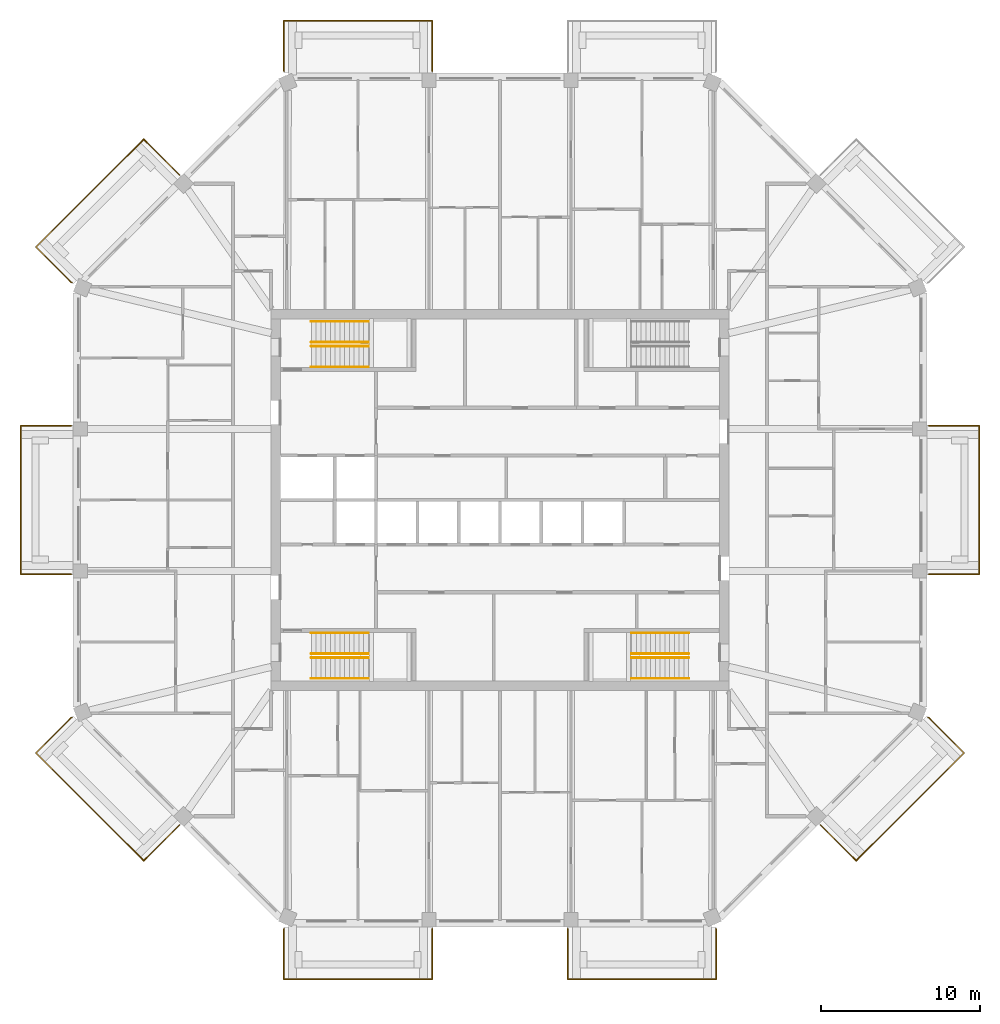
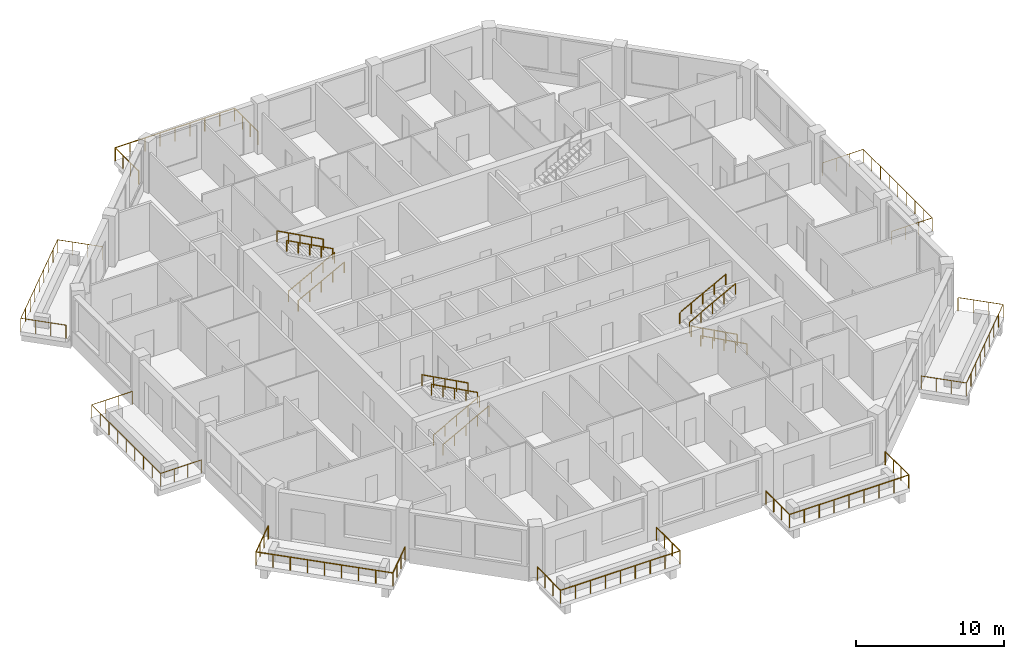
# One storey, part 12 of 13: 20 railings.
"""IFC4 building model written with IfcOpenShell, lengths in metres."""

from ifc_helpers import new_model, si_unit, direction, frame, origin, origin_2d, place, context, subcontext, project, spatial, circle, extrude, material, constituent, constituent_set, type_object, element, save


model = new_model("IFC4")

# Units and contexts
model_context = context("Model", 3, precision=1e-05, world=origin(), true_north=direction((0.0, 1.0)))
body_context = subcontext(model_context, "Body", "Model", "MODEL_VIEW")
ifc_project = project(units=[si_unit("LENGTHUNIT", "METRE"), si_unit("AREAUNIT", "SQUARE_METRE"), si_unit("VOLUMEUNIT", "CUBIC_METRE"), si_unit("PLANEANGLEUNIT", "RADIAN"), si_unit("MASSUNIT", "GRAM", prefix="KILO")], contexts=[model_context])

# Site, building, storey
site_placement = place(None, origin())
site = spatial("IfcSite", under=ifc_project, at=site_placement, CompositionType="ELEMENT")
building_placement = place(site_placement, origin())
building = spatial("IfcBuilding", under=site, at=building_placement, Name="Msitu Wima Residences", CompositionType="ELEMENT")
storey_placement = place(building_placement, frame((0.0, 0.0, 285.300048828125)))
storey = spatial("IfcBuildingStorey", under=building, at=storey_placement, Name="L66", CompositionType="ELEMENT", Elevation=285.300048828125)

# Railings
ifc_material_1 = material(Name="Steel S355", Category="steel")
ifc_constituent_1 = constituent(ifc_material_1, Name="Steel S355")
ifc_material_2 = material(Name="Weathering patina")
ifc_constituent_2 = constituent(ifc_material_2, Name="Weathering patina")
ifc_constituent_set_1 = constituent_set(constituents=[ifc_constituent_1, ifc_constituent_2], Name="Steel S355")
railing_type_1 = type_object("IfcRailingType", Name="Balcony guard GR1100", PredefinedType="GUARDRAIL", material=ifc_constituent_set_1)
railing_1_placement = place(storey_placement, frame((26.97998046875, 4.668701171875, 0.0)))
element("IfcRailing", 1, at=railing_1_placement, inside=storey, type_object=railing_type_1, Name="Balcony guard E1 L66", PredefinedType="GUARDRAIL", context=body_context, shape_type="SweptSolid", body=[
    extrude(circle(Radius=0.02392578125, at=origin_2d()), frame((0.0, 0.0, 1.076171875), z_axis=(1.0, 0.0, 0.0), x_axis=(0.0, 1.0, 0.0)), (0.0, 0.0, 1.0), 3.169921875),
    extrude(circle(Radius=0.02392578125, at=origin_2d()), frame((3.169921875, 0.0, 1.076171875), z_axis=(0.0, -1.0, 0.0), x_axis=(1.0, 0.0, 0.0)), (0.0, 0.0, 1.0), 9.33740234375),
    extrude(circle(Radius=0.02392578125, at=origin_2d()), frame((3.169921875, -9.33740234375, 1.076171875), z_axis=(-1.0, 0.0, 0.0), x_axis=(0.0, -1.0, 0.0)), (0.0, 0.0, 1.0), 3.169921875),
    extrude(circle(Radius=0.02099609375, at=origin_2d()), origin(), (0.0, 0.0, 1.0), 1.052001953125),
    extrude(circle(Radius=0.02099609375, at=origin_2d()), frame((1.056640625, 0.0, 0.0)), (0.0, 0.0, 1.0), 1.052001953125),
    extrude(circle(Radius=0.02099609375, at=origin_2d()), frame((2.11328125, 0.0, 0.0)), (0.0, 0.0, 1.0), 1.052001953125),
    extrude(circle(Radius=0.02099609375, at=origin_2d()), frame((3.169921875, 0.0, 0.0)), (0.0, 0.0, 1.0), 1.052001953125),
    extrude(circle(Radius=0.02099609375, at=origin_2d()), frame((3.169921875, -1.167236328125, 0.0)), (0.0, 0.0, 1.0), 1.052001953125),
    extrude(circle(Radius=0.02099609375, at=origin_2d()), frame((3.169921875, -2.33447265625, 0.0)), (0.0, 0.0, 1.0), 1.052001953125),
    extrude(circle(Radius=0.02099609375, at=origin_2d()), frame((3.169921875, -3.50146484375, 0.0)), (0.0, 0.0, 1.0), 1.052001953125),
    extrude(circle(Radius=0.02099609375, at=origin_2d()), frame((3.169921875, -4.668701171875, 0.0)), (0.0, 0.0, 1.0), 1.052001953125),
    extrude(circle(Radius=0.02099609375, at=origin_2d()), frame((3.169921875, -5.8359375, 0.0)), (0.0, 0.0, 1.0), 1.052001953125),
    extrude(circle(Radius=0.02099609375, at=origin_2d()), frame((3.169921875, -7.0029296875, 0.0)), (0.0, 0.0, 1.0), 1.052001953125),
    extrude(circle(Radius=0.02099609375, at=origin_2d()), frame((3.169921875, -8.170166015625, 0.0)), (0.0, 0.0, 1.0), 1.052001953125),
    extrude(circle(Radius=0.02099609375, at=origin_2d()), frame((3.169921875, -9.33740234375, 0.0)), (0.0, 0.0, 1.0), 1.052001953125),
    extrude(circle(Radius=0.02099609375, at=origin_2d()), frame((2.11328125, -9.33740234375, 0.0)), (0.0, 0.0, 1.0), 1.052001953125),
    extrude(circle(Radius=0.02099609375, at=origin_2d()), frame((1.056640625, -9.33740234375, 0.0)), (0.0, 0.0, 1.0), 1.052001953125),
    extrude(circle(Radius=0.02099609375, at=origin_2d()), frame((0.0, -9.33740234375, 0.0)), (0.0, 0.0, 1.0), 1.052001953125),
])
railing_2_placement = place(storey_placement, frame((-13.592041015625, 26.97998046875, 0.0)))
element("IfcRailing", 2, at=railing_2_placement, inside=storey, type_object=railing_type_1, Name="Balcony guard N2 L66", PredefinedType="GUARDRAIL", context=body_context, shape_type="SweptSolid", body=[
    extrude(circle(Radius=0.02392578125, at=origin_2d()), frame((0.0, 0.0, 1.076171875), z_axis=(-0.384136806859, 0.923276184907, 0.0), x_axis=(-0.923276184907, -0.384136806859, 0.0)), (0.0, 0.0, 1.0), 0.0361328125),
    extrude(circle(Radius=0.02392578125, at=origin_2d()), frame((-0.013916015625, 0.033447265625, 1.076171875), z_axis=(0.0, 1.0, 0.0), x_axis=(-1.0, 0.0, 0.0)), (0.0, 0.0, 1.0), 3.136474609375),
    extrude(circle(Radius=0.02392578125, at=origin_2d()), frame((-0.013916015625, 3.169921875, 1.076171875), z_axis=(1.0, 0.0, 0.0), x_axis=(0.0, 1.0, 0.0)), (0.0, 0.0, 1.0), 9.33740234375),
    extrude(circle(Radius=0.02392578125, at=origin_2d()), frame((9.323486328125, 3.169921875, 1.076171875), z_axis=(0.0, -1.0, 0.0), x_axis=(1.0, 0.0, 0.0)), (0.0, 0.0, 1.0), 3.169921875),
    extrude(circle(Radius=0.02099609375, at=origin_2d()), origin(), (0.0, 0.0, 1.0), 1.052001953125),
    extrude(circle(Radius=0.02099609375, at=origin_2d()), frame((-0.013916015625, 0.033447265625, 0.0)), (0.0, 0.0, 1.0), 1.052001953125),
    extrude(circle(Radius=0.02099609375, at=origin_2d()), frame((-0.013916015625, 1.078857421875, 0.0)), (0.0, 0.0, 1.0), 1.052001953125),
    extrude(circle(Radius=0.02099609375, at=origin_2d()), frame((-0.013916015625, 2.12451171875, 0.0)), (0.0, 0.0, 1.0), 1.052001953125),
    extrude(circle(Radius=0.02099609375, at=origin_2d()), frame((-0.013916015625, 3.169921875, 0.0)), (0.0, 0.0, 1.0), 1.052001953125),
    extrude(circle(Radius=0.02099609375, at=origin_2d()), frame((1.1533203125, 3.169921875, 0.0)), (0.0, 0.0, 1.0), 1.052001953125),
    extrude(circle(Radius=0.02099609375, at=origin_2d()), frame((2.3203125, 3.169921875, 0.0)), (0.0, 0.0, 1.0), 1.052001953125),
    extrude(circle(Radius=0.02099609375, at=origin_2d()), frame((3.487548828125, 3.169921875, 0.0)), (0.0, 0.0, 1.0), 1.052001953125),
    extrude(circle(Radius=0.02099609375, at=origin_2d()), frame((4.65478515625, 3.169921875, 0.0)), (0.0, 0.0, 1.0), 1.052001953125),
    extrude(circle(Radius=0.02099609375, at=origin_2d()), frame((5.822021484375, 3.169921875, 0.0)), (0.0, 0.0, 1.0), 1.052001953125),
    extrude(circle(Radius=0.02099609375, at=origin_2d()), frame((6.9892578125, 3.169921875, 0.0)), (0.0, 0.0, 1.0), 1.052001953125),
    extrude(circle(Radius=0.02099609375, at=origin_2d()), frame((8.15625, 3.169921875, 0.0)), (0.0, 0.0, 1.0), 1.052001953125),
    extrude(circle(Radius=0.02099609375, at=origin_2d()), frame((9.323486328125, 3.169921875, 0.0)), (0.0, 0.0, 1.0), 1.052001953125),
    extrude(circle(Radius=0.02099609375, at=origin_2d()), frame((9.323486328125, 2.11328125, 0.0)), (0.0, 0.0, 1.0), 1.052001953125),
    extrude(circle(Radius=0.02099609375, at=origin_2d()), frame((9.323486328125, 1.056640625, 0.0)), (0.0, 0.0, 1.0), 1.052001953125),
    extrude(circle(Radius=0.02099609375, at=origin_2d()), frame((9.323486328125, 0.0, 0.0)), (0.0, 0.0, 1.0), 1.052001953125),
])
railing_3_placement = place(storey_placement, frame((-26.941650390625, 13.684326171875, 0.0)))
element("IfcRailing", 3, at=railing_3_placement, inside=storey, type_object=railing_type_1, Name="Balcony guard NW1 L66", PredefinedType="GUARDRAIL", context=body_context, shape_type="SweptSolid", body=[
    extrude(circle(Radius=0.02392578125, at=origin_2d()), frame((0.0, 0.0, 1.076171875), z_axis=(-0.92426142649, 0.38176015442, 0.0), x_axis=(-0.38176015442, -0.92426142649, 0.0)), (0.0, 0.0, 1.0), 0.036376953125),
    extrude(circle(Radius=0.02392578125, at=origin_2d()), frame((-0.03369140625, 0.013916015625, 1.076171875), z_axis=(-0.707106781187, 0.707106781187, 0.0), x_axis=(-0.707106781187, -0.707106781187, 0.0)), (0.0, 0.0, 1.0), 3.136474609375),
    extrude(circle(Radius=0.02392578125, at=origin_2d()), frame((-2.25146484375, 2.231689453125, 1.076171875), z_axis=(0.707106781187, 0.707106781187, 0.0), x_axis=(-0.707106781187, 0.707106781187, 0.0)), (0.0, 0.0, 1.0), 9.58837890625),
    extrude(circle(Radius=0.02392578125, at=origin_2d()), frame((4.528564453125, 9.01171875, 1.076171875), z_axis=(0.707106781187, -0.707106781187, 0.0), x_axis=(0.707106781187, 0.707106781187, 0.0)), (0.0, 0.0, 1.0), 3.169921875),
    extrude(circle(Radius=0.02099609375, at=origin_2d()), origin(), (0.0, 0.0, 1.0), 1.052001953125),
    extrude(circle(Radius=0.02099609375, at=origin_2d()), frame((-0.03369140625, 0.013916015625, 0.0)), (0.0, 0.0, 1.0), 1.052001953125),
    extrude(circle(Radius=0.02099609375, at=origin_2d()), frame((-0.77294921875, 0.753173828125, 0.0)), (0.0, 0.0, 1.0), 1.052001953125),
    extrude(circle(Radius=0.02099609375, at=origin_2d()), frame((-1.51220703125, 1.492431640625, 0.0)), (0.0, 0.0, 1.0), 1.052001953125),
    extrude(circle(Radius=0.02099609375, at=origin_2d()), frame((-2.25146484375, 2.231689453125, 0.0)), (0.0, 0.0, 1.0), 1.052001953125),
    extrude(circle(Radius=0.02099609375, at=origin_2d()), frame((-1.404052734375, 3.0791015625, 0.0)), (0.0, 0.0, 1.0), 1.052001953125),
    extrude(circle(Radius=0.02099609375, at=origin_2d()), frame((-0.556396484375, 3.9267578125, 0.0)), (0.0, 0.0, 1.0), 1.052001953125),
    extrude(circle(Radius=0.02099609375, at=origin_2d()), frame((0.291015625, 4.774169921875, 0.0)), (0.0, 0.0, 1.0), 1.052001953125),
    extrude(circle(Radius=0.02099609375, at=origin_2d()), frame((1.138671875, 5.62158203125, 0.0)), (0.0, 0.0, 1.0), 1.052001953125),
    extrude(circle(Radius=0.02099609375, at=origin_2d()), frame((1.986083984375, 6.46923828125, 0.0)), (0.0, 0.0, 1.0), 1.052001953125),
    extrude(circle(Radius=0.02099609375, at=origin_2d()), frame((2.83349609375, 7.316650390625, 0.0)), (0.0, 0.0, 1.0), 1.052001953125),
    extrude(circle(Radius=0.02099609375, at=origin_2d()), frame((3.68115234375, 8.164306640625, 0.0)), (0.0, 0.0, 1.0), 1.052001953125),
    extrude(circle(Radius=0.02099609375, at=origin_2d()), frame((4.528564453125, 9.01171875, 0.0)), (0.0, 0.0, 1.0), 1.052001953125),
    extrude(circle(Radius=0.02099609375, at=origin_2d()), frame((5.275634765625, 8.2646484375, 0.0)), (0.0, 0.0, 1.0), 1.052001953125),
    extrude(circle(Radius=0.02099609375, at=origin_2d()), frame((6.02294921875, 7.517333984375, 0.0)), (0.0, 0.0, 1.0), 1.052001953125),
    extrude(circle(Radius=0.02099609375, at=origin_2d()), frame((6.77001953125, 6.770263671875, 0.0)), (0.0, 0.0, 1.0), 1.052001953125),
])
railing_4_placement = place(storey_placement, frame((-26.97998046875, -4.668701171875, 0.0)))
element("IfcRailing", 4, at=railing_4_placement, inside=storey, type_object=railing_type_1, Name="Balcony guard W1 L66", PredefinedType="GUARDRAIL", context=body_context, shape_type="SweptSolid", body=[
    extrude(circle(Radius=0.02392578125, at=origin_2d()), frame((0.0, 0.0, 1.076171875), z_axis=(-1.0, 0.0, 0.0), x_axis=(0.0, -1.0, 0.0)), (0.0, 0.0, 1.0), 3.169921875),
    extrude(circle(Radius=0.02392578125, at=origin_2d()), frame((-3.169921875, 0.0, 1.076171875), z_axis=(0.0, 1.0, 0.0), x_axis=(-1.0, 0.0, 0.0)), (0.0, 0.0, 1.0), 9.33740234375),
    extrude(circle(Radius=0.02392578125, at=origin_2d()), frame((-3.169921875, 9.33740234375, 1.076171875), z_axis=(1.0, 0.0, 0.0), x_axis=(0.0, 1.0, 0.0)), (0.0, 0.0, 1.0), 3.169921875),
    extrude(circle(Radius=0.02099609375, at=origin_2d()), origin(), (0.0, 0.0, 1.0), 1.052001953125),
    extrude(circle(Radius=0.02099609375, at=origin_2d()), frame((-1.056640625, 0.0, 0.0)), (0.0, 0.0, 1.0), 1.052001953125),
    extrude(circle(Radius=0.02099609375, at=origin_2d()), frame((-2.11328125, 0.0, 0.0)), (0.0, 0.0, 1.0), 1.052001953125),
    extrude(circle(Radius=0.02099609375, at=origin_2d()), frame((-3.169921875, 0.0, 0.0)), (0.0, 0.0, 1.0), 1.052001953125),
    extrude(circle(Radius=0.02099609375, at=origin_2d()), frame((-3.169921875, 1.167236328125, 0.0)), (0.0, 0.0, 1.0), 1.052001953125),
    extrude(circle(Radius=0.02099609375, at=origin_2d()), frame((-3.169921875, 2.33447265625, 0.0)), (0.0, 0.0, 1.0), 1.052001953125),
    extrude(circle(Radius=0.02099609375, at=origin_2d()), frame((-3.169921875, 3.50146484375, 0.0)), (0.0, 0.0, 1.0), 1.052001953125),
    extrude(circle(Radius=0.02099609375, at=origin_2d()), frame((-3.169921875, 4.668701171875, 0.0)), (0.0, 0.0, 1.0), 1.052001953125),
    extrude(circle(Radius=0.02099609375, at=origin_2d()), frame((-3.169921875, 5.8359375, 0.0)), (0.0, 0.0, 1.0), 1.052001953125),
    extrude(circle(Radius=0.02099609375, at=origin_2d()), frame((-3.169921875, 7.0029296875, 0.0)), (0.0, 0.0, 1.0), 1.052001953125),
    extrude(circle(Radius=0.02099609375, at=origin_2d()), frame((-3.169921875, 8.170166015625, 0.0)), (0.0, 0.0, 1.0), 1.052001953125),
    extrude(circle(Radius=0.02099609375, at=origin_2d()), frame((-3.169921875, 9.33740234375, 0.0)), (0.0, 0.0, 1.0), 1.052001953125),
    extrude(circle(Radius=0.02099609375, at=origin_2d()), frame((-2.11328125, 9.33740234375, 0.0)), (0.0, 0.0, 1.0), 1.052001953125),
    extrude(circle(Radius=0.02099609375, at=origin_2d()), frame((-1.056640625, 9.33740234375, 0.0)), (0.0, 0.0, 1.0), 1.052001953125),
    extrude(circle(Radius=0.02099609375, at=origin_2d()), frame((0.0, 9.33740234375, 0.0)), (0.0, 0.0, 1.0), 1.052001953125),
])
railing_5_placement = place(storey_placement, frame((-20.171630859375, -20.45458984375, 0.0)))
element("IfcRailing", 5, at=railing_5_placement, inside=storey, type_object=railing_type_1, Name="Balcony guard SW0 L66", PredefinedType="GUARDRAIL", context=body_context, shape_type="SweptSolid", body=[
    extrude(circle(Radius=0.02392578125, at=origin_2d()), frame((0.0, 0.0, 1.076171875), z_axis=(-0.707106781187, -0.707106781187, 0.0), x_axis=(0.707106781187, -0.707106781187, 0.0)), (0.0, 0.0, 1.0), 3.169921875),
    extrude(circle(Radius=0.02392578125, at=origin_2d()), frame((-2.241455078125, -2.241455078125, 1.076171875), z_axis=(-0.707106781187, 0.707106781187, 0.0), x_axis=(-0.707106781187, -0.707106781187, 0.0)), (0.0, 0.0, 1.0), 9.58837890625),
    extrude(circle(Radius=0.02392578125, at=origin_2d()), frame((-9.021484375, 4.53857421875, 1.076171875), z_axis=(0.707106781187, 0.707106781187, 0.0), x_axis=(-0.707106781187, 0.707106781187, 0.0)), (0.0, 0.0, 1.0), 3.136474609375),
    extrude(circle(Radius=0.02392578125, at=origin_2d()), frame((-6.8037109375, 6.75634765625, 1.076171875), z_axis=(0.92426142649, 0.38176015442, 0.0), x_axis=(-0.38176015442, 0.92426142649, 0.0)), (0.0, 0.0, 1.0), 0.036376953125),
    extrude(circle(Radius=0.02099609375, at=origin_2d()), origin(), (0.0, 0.0, 1.0), 1.052001953125),
    extrude(circle(Radius=0.02099609375, at=origin_2d()), frame((-0.7470703125, -0.7470703125, 0.0)), (0.0, 0.0, 1.0), 1.052001953125),
    extrude(circle(Radius=0.02099609375, at=origin_2d()), frame((-1.494384765625, -1.494384765625, 0.0)), (0.0, 0.0, 1.0), 1.052001953125),
    extrude(circle(Radius=0.02099609375, at=origin_2d()), frame((-2.241455078125, -2.241455078125, 0.0)), (0.0, 0.0, 1.0), 1.052001953125),
    extrude(circle(Radius=0.02099609375, at=origin_2d()), frame((-3.0888671875, -1.39404296875, 0.0)), (0.0, 0.0, 1.0), 1.052001953125),
    extrude(circle(Radius=0.02099609375, at=origin_2d()), frame((-3.9365234375, -0.54638671875, 0.0)), (0.0, 0.0, 1.0), 1.052001953125),
    extrude(circle(Radius=0.02099609375, at=origin_2d()), frame((-4.783935546875, 0.301025390625, 0.0)), (0.0, 0.0, 1.0), 1.052001953125),
    extrude(circle(Radius=0.02099609375, at=origin_2d()), frame((-5.63134765625, 1.1484375, 0.0)), (0.0, 0.0, 1.0), 1.052001953125),
    extrude(circle(Radius=0.02099609375, at=origin_2d()), frame((-6.47900390625, 1.99609375, 0.0)), (0.0, 0.0, 1.0), 1.052001953125),
    extrude(circle(Radius=0.02099609375, at=origin_2d()), frame((-7.326416015625, 2.843505859375, 0.0)), (0.0, 0.0, 1.0), 1.052001953125),
    extrude(circle(Radius=0.02099609375, at=origin_2d()), frame((-8.174072265625, 3.691162109375, 0.0)), (0.0, 0.0, 1.0), 1.052001953125),
    extrude(circle(Radius=0.02099609375, at=origin_2d()), frame((-9.021484375, 4.53857421875, 0.0)), (0.0, 0.0, 1.0), 1.052001953125),
    extrude(circle(Radius=0.02099609375, at=origin_2d()), frame((-8.2822265625, 5.27783203125, 0.0)), (0.0, 0.0, 1.0), 1.052001953125),
    extrude(circle(Radius=0.02099609375, at=origin_2d()), frame((-7.54296875, 6.01708984375, 0.0)), (0.0, 0.0, 1.0), 1.052001953125),
    extrude(circle(Radius=0.02099609375, at=origin_2d()), frame((-6.8037109375, 6.75634765625, 0.0)), (0.0, 0.0, 1.0), 1.052001953125),
    extrude(circle(Radius=0.02099609375, at=origin_2d()), frame((-6.77001953125, 6.770263671875, 0.0)), (0.0, 0.0, 1.0), 1.052001953125),
])
railing_6_placement = place(storey_placement, frame((-4.2685546875, -26.97998046875, 0.0)))
element("IfcRailing", 6, at=railing_6_placement, inside=storey, type_object=railing_type_1, Name="Balcony guard S0 L66", PredefinedType="GUARDRAIL", context=body_context, shape_type="SweptSolid", body=[
    extrude(circle(Radius=0.02392578125, at=origin_2d()), frame((0.0, 0.0, 1.076171875), z_axis=(0.0, -1.0, 0.0), x_axis=(1.0, 0.0, 0.0)), (0.0, 0.0, 1.0), 3.169921875),
    extrude(circle(Radius=0.02392578125, at=origin_2d()), frame((0.0, -3.169921875, 1.076171875), z_axis=(-1.0, 0.0, 0.0), x_axis=(0.0, -1.0, 0.0)), (0.0, 0.0, 1.0), 9.33740234375),
    extrude(circle(Radius=0.02392578125, at=origin_2d()), frame((-9.33740234375, -3.169921875, 1.076171875), z_axis=(0.0, 1.0, 0.0), x_axis=(-1.0, 0.0, 0.0)), (0.0, 0.0, 1.0), 3.136474609375),
    extrude(circle(Radius=0.02392578125, at=origin_2d()), frame((-9.33740234375, -0.033447265625, 1.076171875), z_axis=(0.384136806859, 0.923276184907, 0.0), x_axis=(-0.923276184907, 0.384136806859, 0.0)), (0.0, 0.0, 1.0), 0.0361328125),
    extrude(circle(Radius=0.02099609375, at=origin_2d()), origin(), (0.0, 0.0, 1.0), 1.052001953125),
    extrude(circle(Radius=0.02099609375, at=origin_2d()), frame((0.0, -1.056640625, 0.0)), (0.0, 0.0, 1.0), 1.052001953125),
    extrude(circle(Radius=0.02099609375, at=origin_2d()), frame((0.0, -2.11328125, 0.0)), (0.0, 0.0, 1.0), 1.052001953125),
    extrude(circle(Radius=0.02099609375, at=origin_2d()), frame((0.0, -3.169921875, 0.0)), (0.0, 0.0, 1.0), 1.052001953125),
    extrude(circle(Radius=0.02099609375, at=origin_2d()), frame((-1.167236328125, -3.169921875, 0.0)), (0.0, 0.0, 1.0), 1.052001953125),
    extrude(circle(Radius=0.02099609375, at=origin_2d()), frame((-2.33447265625, -3.169921875, 0.0)), (0.0, 0.0, 1.0), 1.052001953125),
    extrude(circle(Radius=0.02099609375, at=origin_2d()), frame((-3.50146484375, -3.169921875, 0.0)), (0.0, 0.0, 1.0), 1.052001953125),
    extrude(circle(Radius=0.02099609375, at=origin_2d()), frame((-4.668701171875, -3.169921875, 0.0)), (0.0, 0.0, 1.0), 1.052001953125),
    extrude(circle(Radius=0.02099609375, at=origin_2d()), frame((-5.8359375, -3.169921875, 0.0)), (0.0, 0.0, 1.0), 1.052001953125),
    extrude(circle(Radius=0.02099609375, at=origin_2d()), frame((-7.0029296875, -3.169921875, 0.0)), (0.0, 0.0, 1.0), 1.052001953125),
    extrude(circle(Radius=0.02099609375, at=origin_2d()), frame((-8.170166015625, -3.169921875, 0.0)), (0.0, 0.0, 1.0), 1.052001953125),
    extrude(circle(Radius=0.02099609375, at=origin_2d()), frame((-9.33740234375, -3.169921875, 0.0)), (0.0, 0.0, 1.0), 1.052001953125),
    extrude(circle(Radius=0.02099609375, at=origin_2d()), frame((-9.33740234375, -2.12451171875, 0.0)), (0.0, 0.0, 1.0), 1.052001953125),
    extrude(circle(Radius=0.02099609375, at=origin_2d()), frame((-9.33740234375, -1.078857421875, 0.0)), (0.0, 0.0, 1.0), 1.052001953125),
    extrude(circle(Radius=0.02099609375, at=origin_2d()), frame((-9.33740234375, -0.033447265625, 0.0)), (0.0, 0.0, 1.0), 1.052001953125),
    extrude(circle(Radius=0.02099609375, at=origin_2d()), frame((-9.323486328125, 0.0, 0.0)), (0.0, 0.0, 1.0), 1.052001953125),
])
railing_7_placement = place(storey_placement, frame((13.592041015625, -26.97998046875, 0.0)))
element("IfcRailing", 7, at=railing_7_placement, inside=storey, type_object=railing_type_1, Name="Balcony guard S2 L66", PredefinedType="GUARDRAIL", context=body_context, shape_type="SweptSolid", body=[
    extrude(circle(Radius=0.02392578125, at=origin_2d()), frame((0.0, 0.0, 1.076171875), z_axis=(0.384136806859, -0.923276184907, 0.0), x_axis=(0.923276184907, 0.384136806859, 0.0)), (0.0, 0.0, 1.0), 0.0361328125),
    extrude(circle(Radius=0.02392578125, at=origin_2d()), frame((0.013916015625, -0.033447265625, 1.076171875), z_axis=(0.0, -1.0, 0.0), x_axis=(1.0, 0.0, 0.0)), (0.0, 0.0, 1.0), 3.136474609375),
    extrude(circle(Radius=0.02392578125, at=origin_2d()), frame((0.013916015625, -3.169921875, 1.076171875), z_axis=(-1.0, 0.0, 0.0), x_axis=(0.0, -1.0, 0.0)), (0.0, 0.0, 1.0), 9.33740234375),
    extrude(circle(Radius=0.02392578125, at=origin_2d()), frame((-9.323486328125, -3.169921875, 1.076171875), z_axis=(0.0, 1.0, 0.0), x_axis=(-1.0, 0.0, 0.0)), (0.0, 0.0, 1.0), 3.169921875),
    extrude(circle(Radius=0.02099609375, at=origin_2d()), origin(), (0.0, 0.0, 1.0), 1.052001953125),
    extrude(circle(Radius=0.02099609375, at=origin_2d()), frame((0.013916015625, -0.033447265625, 0.0)), (0.0, 0.0, 1.0), 1.052001953125),
    extrude(circle(Radius=0.02099609375, at=origin_2d()), frame((0.013916015625, -1.078857421875, 0.0)), (0.0, 0.0, 1.0), 1.052001953125),
    extrude(circle(Radius=0.02099609375, at=origin_2d()), frame((0.013916015625, -2.12451171875, 0.0)), (0.0, 0.0, 1.0), 1.052001953125),
    extrude(circle(Radius=0.02099609375, at=origin_2d()), frame((0.013916015625, -3.169921875, 0.0)), (0.0, 0.0, 1.0), 1.052001953125),
    extrude(circle(Radius=0.02099609375, at=origin_2d()), frame((-1.1533203125, -3.169921875, 0.0)), (0.0, 0.0, 1.0), 1.052001953125),
    extrude(circle(Radius=0.02099609375, at=origin_2d()), frame((-2.3203125, -3.169921875, 0.0)), (0.0, 0.0, 1.0), 1.052001953125),
    extrude(circle(Radius=0.02099609375, at=origin_2d()), frame((-3.487548828125, -3.169921875, 0.0)), (0.0, 0.0, 1.0), 1.052001953125),
    extrude(circle(Radius=0.02099609375, at=origin_2d()), frame((-4.65478515625, -3.169921875, 0.0)), (0.0, 0.0, 1.0), 1.052001953125),
    extrude(circle(Radius=0.02099609375, at=origin_2d()), frame((-5.822021484375, -3.169921875, 0.0)), (0.0, 0.0, 1.0), 1.052001953125),
    extrude(circle(Radius=0.02099609375, at=origin_2d()), frame((-6.9892578125, -3.169921875, 0.0)), (0.0, 0.0, 1.0), 1.052001953125),
    extrude(circle(Radius=0.02099609375, at=origin_2d()), frame((-8.15625, -3.169921875, 0.0)), (0.0, 0.0, 1.0), 1.052001953125),
    extrude(circle(Radius=0.02099609375, at=origin_2d()), frame((-9.323486328125, -3.169921875, 0.0)), (0.0, 0.0, 1.0), 1.052001953125),
    extrude(circle(Radius=0.02099609375, at=origin_2d()), frame((-9.323486328125, -2.11328125, 0.0)), (0.0, 0.0, 1.0), 1.052001953125),
    extrude(circle(Radius=0.02099609375, at=origin_2d()), frame((-9.323486328125, -1.056640625, 0.0)), (0.0, 0.0, 1.0), 1.052001953125),
    extrude(circle(Radius=0.02099609375, at=origin_2d()), frame((-9.323486328125, 0.0, 0.0)), (0.0, 0.0, 1.0), 1.052001953125),
])
railing_8_placement = place(storey_placement, frame((26.941650390625, -13.684326171875, 0.0)))
element("IfcRailing", 8, at=railing_8_placement, inside=storey, type_object=railing_type_1, Name="Balcony guard SE1 L66", PredefinedType="GUARDRAIL", context=body_context, shape_type="SweptSolid", body=[
    extrude(circle(Radius=0.02392578125, at=origin_2d()), frame((0.0, 0.0, 1.076171875), z_axis=(0.92426142649, -0.38176015442, 0.0), x_axis=(0.38176015442, 0.92426142649, 0.0)), (0.0, 0.0, 1.0), 0.036376953125),
    extrude(circle(Radius=0.02392578125, at=origin_2d()), frame((0.03369140625, -0.013916015625, 1.076171875), z_axis=(0.707106781187, -0.707106781187, 0.0), x_axis=(0.707106781187, 0.707106781187, 0.0)), (0.0, 0.0, 1.0), 3.136474609375),
    extrude(circle(Radius=0.02392578125, at=origin_2d()), frame((2.25146484375, -2.231689453125, 1.076171875), z_axis=(-0.707106781187, -0.707106781187, 0.0), x_axis=(0.707106781187, -0.707106781187, 0.0)), (0.0, 0.0, 1.0), 9.58837890625),
    extrude(circle(Radius=0.02392578125, at=origin_2d()), frame((-4.528564453125, -9.01171875, 1.076171875), z_axis=(-0.707106781187, 0.707106781187, 0.0), x_axis=(-0.707106781187, -0.707106781187, 0.0)), (0.0, 0.0, 1.0), 3.169921875),
    extrude(circle(Radius=0.02099609375, at=origin_2d()), origin(), (0.0, 0.0, 1.0), 1.052001953125),
    extrude(circle(Radius=0.02099609375, at=origin_2d()), frame((0.03369140625, -0.013916015625, 0.0)), (0.0, 0.0, 1.0), 1.052001953125),
    extrude(circle(Radius=0.02099609375, at=origin_2d()), frame((0.77294921875, -0.753173828125, 0.0)), (0.0, 0.0, 1.0), 1.052001953125),
    extrude(circle(Radius=0.02099609375, at=origin_2d()), frame((1.51220703125, -1.492431640625, 0.0)), (0.0, 0.0, 1.0), 1.052001953125),
    extrude(circle(Radius=0.02099609375, at=origin_2d()), frame((2.25146484375, -2.231689453125, 0.0)), (0.0, 0.0, 1.0), 1.052001953125),
    extrude(circle(Radius=0.02099609375, at=origin_2d()), frame((1.404052734375, -3.0791015625, 0.0)), (0.0, 0.0, 1.0), 1.052001953125),
    extrude(circle(Radius=0.02099609375, at=origin_2d()), frame((0.556396484375, -3.9267578125, 0.0)), (0.0, 0.0, 1.0), 1.052001953125),
    extrude(circle(Radius=0.02099609375, at=origin_2d()), frame((-0.291015625, -4.774169921875, 0.0)), (0.0, 0.0, 1.0), 1.052001953125),
    extrude(circle(Radius=0.02099609375, at=origin_2d()), frame((-1.138671875, -5.62158203125, 0.0)), (0.0, 0.0, 1.0), 1.052001953125),
    extrude(circle(Radius=0.02099609375, at=origin_2d()), frame((-1.986083984375, -6.46923828125, 0.0)), (0.0, 0.0, 1.0), 1.052001953125),
    extrude(circle(Radius=0.02099609375, at=origin_2d()), frame((-2.83349609375, -7.316650390625, 0.0)), (0.0, 0.0, 1.0), 1.052001953125),
    extrude(circle(Radius=0.02099609375, at=origin_2d()), frame((-3.68115234375, -8.164306640625, 0.0)), (0.0, 0.0, 1.0), 1.052001953125),
    extrude(circle(Radius=0.02099609375, at=origin_2d()), frame((-4.528564453125, -9.01171875, 0.0)), (0.0, 0.0, 1.0), 1.052001953125),
    extrude(circle(Radius=0.02099609375, at=origin_2d()), frame((-5.275634765625, -8.2646484375, 0.0)), (0.0, 0.0, 1.0), 1.052001953125),
    extrude(circle(Radius=0.02099609375, at=origin_2d()), frame((-6.02294921875, -7.517333984375, 0.0)), (0.0, 0.0, 1.0), 1.052001953125),
    extrude(circle(Radius=0.02099609375, at=origin_2d()), frame((-6.77001953125, -6.770263671875, 0.0)), (0.0, 0.0, 1.0), 1.052001953125),
])
ifc_constituent_3 = constituent(ifc_material_1, Name="Steel S355")
ifc_material_3 = material(Name="Black powder coating")
ifc_constituent_4 = constituent(ifc_material_3, Name="Black powder coating")
ifc_constituent_set_2 = constituent_set(constituents=[ifc_constituent_3, ifc_constituent_4], Name="Steel S355")
railing_type_2 = type_object("IfcRailingType", Name="Stair handrail HR1", PredefinedType="HANDRAIL", material=ifc_constituent_set_2)
for number, where, name in (
    (9, (-11.875, 8.375, 0.161376953125), "Stair 1 handrail"),
    (10, (-11.875, 9.675048828125, 0.161376953125), "Stair 1 handrail"),
):
    element("IfcRailing", number, at=place(storey_placement, frame(where)), inside=storey, type_object=railing_type_2, Name=name, PredefinedType="HANDRAIL", context=body_context, shape_type="SweptSolid", body=[
        extrude(circle(Radius=0.02392578125, at=origin_2d()), frame((0.0, 0.0, 0.8759765625), z_axis=(0.880474934443, 0.0, 0.474092701714), x_axis=(0.0, 1.0, 0.0)), (0.0, 0.0, 1.0), 4.0888671875),
        extrude(circle(Radius=0.02099609375, at=origin_2d()), origin(), (0.0, 0.0, 1.0), 0.851806640625),
        extrude(circle(Radius=0.02099609375, at=origin_2d()), frame((0.89990234375, 0.0, 0.484619140625)), (0.0, 0.0, 1.0), 0.851806640625),
        extrude(circle(Radius=0.02099609375, at=origin_2d()), frame((1.800048828125, 0.0, 0.96923828125)), (0.0, 0.0, 1.0), 0.851806640625),
        extrude(circle(Radius=0.02099609375, at=origin_2d()), frame((2.7001953125, 0.0, 1.453857421875)), (0.0, 0.0, 1.0), 0.851806640625),
        extrude(circle(Radius=0.02099609375, at=origin_2d()), frame((3.60009765625, 0.0, 1.9384765625)), (0.0, 0.0, 1.0), 0.851806640625),
    ])
for number, where, name in (
    (11, (-8.27490234375, 9.925048828125, 2.261474609375), "Stair 1 handrail"),
    (12, (-8.27490234375, 11.22509765625, 2.261474609375), "Stair 1 handrail"),
):
    element("IfcRailing", number, at=place(storey_placement, frame(where)), inside=storey, type_object=railing_type_2, Name=name, PredefinedType="HANDRAIL", context=body_context, shape_type="SweptSolid", body=[
        extrude(circle(Radius=0.02392578125, at=origin_2d()), frame((0.0, 0.0, 0.8759765625), z_axis=(-0.880474934443, 0.0, 0.474092701714), x_axis=(0.0, -1.0, 0.0)), (0.0, 0.0, 1.0), 4.0888671875),
        extrude(circle(Radius=0.02099609375, at=origin_2d()), origin(), (0.0, 0.0, 1.0), 0.851806640625),
        extrude(circle(Radius=0.02099609375, at=origin_2d()), frame((-0.89990234375, 0.0, 0.484619140625)), (0.0, 0.0, 1.0), 0.851806640625),
        extrude(circle(Radius=0.02099609375, at=origin_2d()), frame((-1.800048828125, 0.0, 0.96923828125)), (0.0, 0.0, 1.0), 0.851806640625),
        extrude(circle(Radius=0.02099609375, at=origin_2d()), frame((-2.7001953125, 0.0, 1.453857421875)), (0.0, 0.0, 1.0), 0.851806640625),
        extrude(circle(Radius=0.02099609375, at=origin_2d()), frame((-3.60009765625, 0.0, 1.9384765625)), (0.0, 0.0, 1.0), 0.851806640625),
    ])
for number, where, name in (
    (13, (-11.875, -11.22509765625, 0.161376953125), "Stair 2 handrail"),
    (14, (-11.875, -9.925048828125, 0.161376953125), "Stair 2 handrail"),
):
    element("IfcRailing", number, at=place(storey_placement, frame(where)), inside=storey, type_object=railing_type_2, Name=name, PredefinedType="HANDRAIL", context=body_context, shape_type="SweptSolid", body=[
        extrude(circle(Radius=0.02392578125, at=origin_2d()), frame((0.0, 0.0, 0.8759765625), z_axis=(0.880474934443, 0.0, 0.474092701714), x_axis=(0.0, 1.0, 0.0)), (0.0, 0.0, 1.0), 4.0888671875),
        extrude(circle(Radius=0.02099609375, at=origin_2d()), origin(), (0.0, 0.0, 1.0), 0.851806640625),
        extrude(circle(Radius=0.02099609375, at=origin_2d()), frame((0.89990234375, 0.0, 0.484619140625)), (0.0, 0.0, 1.0), 0.851806640625),
        extrude(circle(Radius=0.02099609375, at=origin_2d()), frame((1.800048828125, 0.0, 0.96923828125)), (0.0, 0.0, 1.0), 0.851806640625),
        extrude(circle(Radius=0.02099609375, at=origin_2d()), frame((2.7001953125, 0.0, 1.453857421875)), (0.0, 0.0, 1.0), 0.851806640625),
        extrude(circle(Radius=0.02099609375, at=origin_2d()), frame((3.60009765625, 0.0, 1.9384765625)), (0.0, 0.0, 1.0), 0.851806640625),
    ])
for number, where, name in (
    (15, (-8.27490234375, -9.675048828125, 2.261474609375), "Stair 2 handrail"),
    (16, (-8.27490234375, -8.375, 2.261474609375), "Stair 2 handrail"),
    (17, (11.875, -11.22509765625, 0.161376953125), "Stair 4 handrail"),
    (18, (11.875, -9.925048828125, 0.161376953125), "Stair 4 handrail"),
):
    element("IfcRailing", number, at=place(storey_placement, frame(where)), inside=storey, type_object=railing_type_2, Name=name, PredefinedType="HANDRAIL", context=body_context, shape_type="SweptSolid", body=[
        extrude(circle(Radius=0.02392578125, at=origin_2d()), frame((0.0, 0.0, 0.8759765625), z_axis=(-0.880474934443, 0.0, 0.474092701714), x_axis=(0.0, -1.0, 0.0)), (0.0, 0.0, 1.0), 4.0888671875),
        extrude(circle(Radius=0.02099609375, at=origin_2d()), origin(), (0.0, 0.0, 1.0), 0.851806640625),
        extrude(circle(Radius=0.02099609375, at=origin_2d()), frame((-0.89990234375, 0.0, 0.484619140625)), (0.0, 0.0, 1.0), 0.851806640625),
        extrude(circle(Radius=0.02099609375, at=origin_2d()), frame((-1.800048828125, 0.0, 0.96923828125)), (0.0, 0.0, 1.0), 0.851806640625),
        extrude(circle(Radius=0.02099609375, at=origin_2d()), frame((-2.7001953125, 0.0, 1.453857421875)), (0.0, 0.0, 1.0), 0.851806640625),
        extrude(circle(Radius=0.02099609375, at=origin_2d()), frame((-3.60009765625, 0.0, 1.9384765625)), (0.0, 0.0, 1.0), 0.851806640625),
    ])
for number, where, name in (
    (19, (8.27490234375, -9.675048828125, 2.261474609375), "Stair 4 handrail"),
    (20, (8.27490234375, -8.375, 2.261474609375), "Stair 4 handrail"),
):
    element("IfcRailing", number, at=place(storey_placement, frame(where)), inside=storey, type_object=railing_type_2, Name=name, PredefinedType="HANDRAIL", context=body_context, shape_type="SweptSolid", body=[
        extrude(circle(Radius=0.02392578125, at=origin_2d()), frame((0.0, 0.0, 0.8759765625), z_axis=(0.880474934443, 0.0, 0.474092701714), x_axis=(0.0, 1.0, 0.0)), (0.0, 0.0, 1.0), 4.0888671875),
        extrude(circle(Radius=0.02099609375, at=origin_2d()), origin(), (0.0, 0.0, 1.0), 0.851806640625),
        extrude(circle(Radius=0.02099609375, at=origin_2d()), frame((0.89990234375, 0.0, 0.484619140625)), (0.0, 0.0, 1.0), 0.851806640625),
        extrude(circle(Radius=0.02099609375, at=origin_2d()), frame((1.800048828125, 0.0, 0.96923828125)), (0.0, 0.0, 1.0), 0.851806640625),
        extrude(circle(Radius=0.02099609375, at=origin_2d()), frame((2.7001953125, 0.0, 1.453857421875)), (0.0, 0.0, 1.0), 0.851806640625),
        extrude(circle(Radius=0.02099609375, at=origin_2d()), frame((3.60009765625, 0.0, 1.9384765625)), (0.0, 0.0, 1.0), 0.851806640625),
    ])

save(model, "model.ifc")
